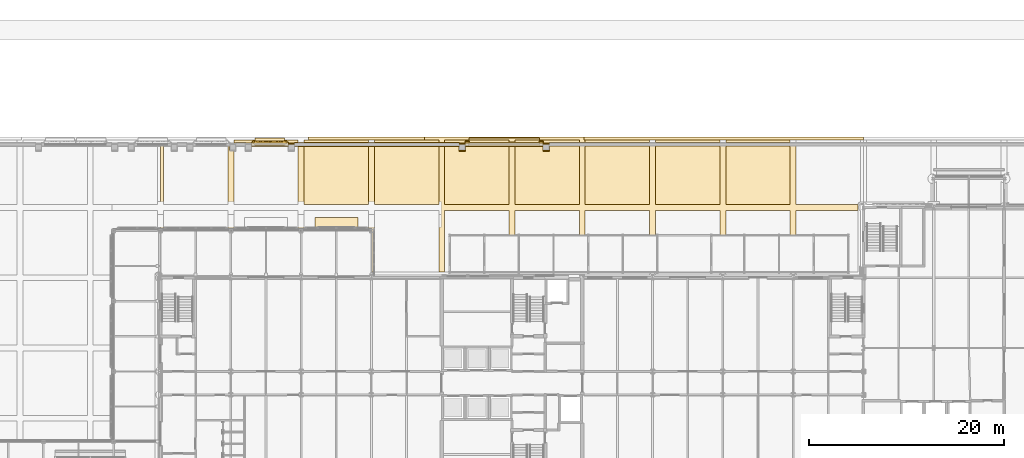
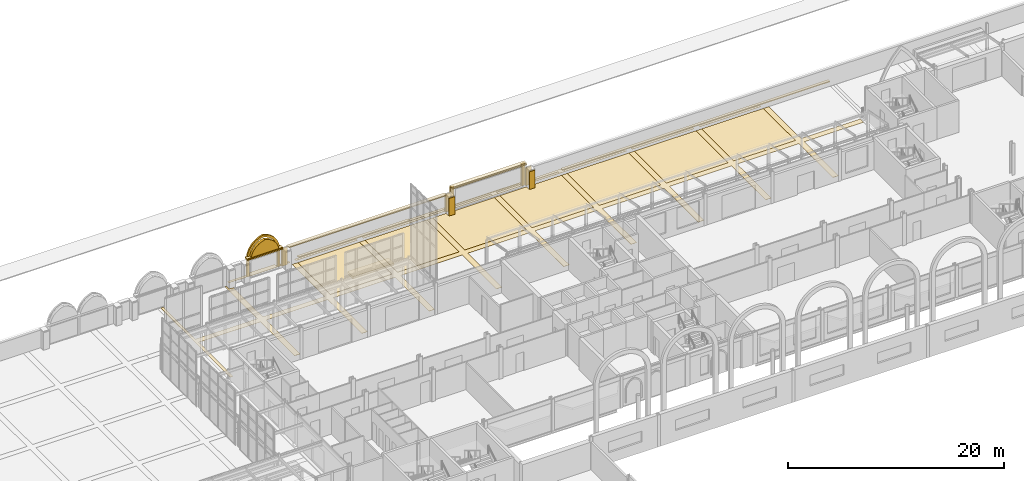
# One storey, part 132 of 143: 36 coverings.
"""IFC4 building model written with IfcOpenShell, lengths in metres."""

from ifc_helpers import new_model, si_unit, direction, frame, origin, origin_2d, place, context, subcontext, project, spatial, polyline, rectangle, outline, extrude, material, layer, layer_set, type_object, element, save


model = new_model("IFC4")

# Units and contexts
model_context = context("Model", 3, precision=1e-05, world=origin(), true_north=direction((0.0, 1.0)))
body_context = subcontext(model_context, "Body", "Model", "MODEL_VIEW")
ifc_project = project(units=[si_unit("LENGTHUNIT", "METRE"), si_unit("AREAUNIT", "SQUARE_METRE"), si_unit("VOLUMEUNIT", "CUBIC_METRE"), si_unit("PLANEANGLEUNIT", "RADIAN"), si_unit("MASSUNIT", "GRAM", prefix="KILO")], contexts=[model_context])

# Site, building, storey
site_placement = place(None, origin())
site = spatial("IfcSite", under=ifc_project, at=site_placement, CompositionType="ELEMENT")
building_placement = place(site_placement, origin())
building = spatial("IfcBuilding", under=site, at=building_placement, Name="Kupolbacken Congress Centre", CompositionType="ELEMENT")
storey_placement = place(building_placement, frame((0.0, 0.0, 7.199951171875)))
storey = spatial("IfcBuildingStorey", under=building, at=storey_placement, Name="L02", CompositionType="ELEMENT", Elevation=7.199951171875)

# Coverings
ifc_material_1 = material(Name="Limestone cladding", Category="masonry")
ifc_layer_1 = layer(ifc_material_1, 0.1201171875)
ifc_layer_set_1 = layer_set([ifc_layer_1], Name="Limestone cladding")
covering_type_1 = type_object("IfcCoveringType", Name="CV1 limestone cladding band 120", PredefinedType="CLADDING", material=ifc_layer_set_1)
covering_1_placement = place(storey_placement, origin())
element("IfcCovering", 1, at=covering_1_placement, inside=storey, type_object=covering_type_1, Name="Gate pier limestone facing", PredefinedType="CLADDING", context=body_context, shape_type="SweptSolid", body=[
    extrude(outline(polyline([(77.89990234375, 157.679931640625), (77.89990234375, 157.800048828125), (78.5, 157.800048828125), (78.5, 157.679931640625), (77.89990234375, 157.679931640625)])), origin(), (0.0, 0.0, 1.0), 2.0),
])
covering_2_placement = place(storey_placement, origin())
element("IfcCovering", 2, at=covering_2_placement, inside=storey, type_object=covering_type_1, Name="Gate pier limestone facing", PredefinedType="CLADDING", context=body_context, shape_type="SweptSolid", body=[
    extrude(outline(polyline([(95.39990234375, 157.679931640625), (95.39990234375, 157.800048828125), (96.0, 157.800048828125), (96.0, 157.679931640625), (95.39990234375, 157.679931640625)])), origin(), (0.0, 0.0, 1.0), 2.0),
])
covering_3_placement = place(storey_placement, origin())
element("IfcCovering", 3, at=covering_3_placement, inside=storey, type_object=covering_type_1, Name="Gate pier limestone facing", PredefinedType="CLADDING", context=body_context, shape_type="SweptSolid", body=[
    extrude(outline(polyline([(95.39990234375, 156.9599609375), (95.39990234375, 157.080078125), (96.0, 157.080078125), (96.0, 156.9599609375), (95.39990234375, 156.9599609375)])), origin(), (0.0, 0.0, 1.0), 2.0),
])
covering_4_placement = place(storey_placement, origin())
element("IfcCovering", 4, at=covering_4_placement, inside=storey, type_object=covering_type_1, Name="Gate pier limestone facing", PredefinedType="CLADDING", context=body_context, shape_type="SweptSolid", body=[
    extrude(outline(polyline([(104.0, 157.679931640625), (104.0, 157.800048828125), (104.60009765625, 157.800048828125), (104.60009765625, 157.679931640625), (104.0, 157.679931640625)])), origin(), (0.0, 0.0, 1.0), 2.0),
])
covering_5_placement = place(storey_placement, origin())
element("IfcCovering", 5, at=covering_5_placement, inside=storey, type_object=covering_type_1, Name="Gate pier limestone facing", PredefinedType="CLADDING", context=body_context, shape_type="SweptSolid", body=[
    extrude(outline(polyline([(104.0, 156.9599609375), (104.0, 157.080078125), (104.60009765625, 157.080078125), (104.60009765625, 156.9599609375), (104.0, 156.9599609375)])), origin(), (0.0, 0.0, 1.0), 2.0),
])
covering_6_placement = place(storey_placement, frame((0.0, 0.0, 2.10009765625)))
element("IfcCovering", 6, at=covering_6_placement, inside=storey, type_object=covering_type_1, Name="Limestone coping on boundary wall", PredefinedType="CLADDING", context=body_context, shape_type="SweptSolid", body=[
    extrude(outline(polyline([(74.10009765625, 157.449951171875), (74.10009765625, 157.85009765625), (77.89990234375, 157.85009765625), (77.89990234375, 157.449951171875), (74.10009765625, 157.449951171875)])), origin(), (0.0, 0.0, 1.0), 0.119873046875),
])
covering_7_placement = place(storey_placement, frame((0.0, 0.0, 2.0)))
element("IfcCovering", 7, at=covering_7_placement, inside=storey, type_object=covering_type_1, Name="Limestone coping on boundary wall", PredefinedType="CLADDING", context=body_context, shape_type="SweptSolid", body=[
    extrude(outline(polyline([(78.5, 157.449951171875), (78.5, 157.85009765625), (95.39990234375, 157.85009765625), (95.39990234375, 157.449951171875), (78.5, 157.449951171875)])), origin(), (0.0, 0.0, 1.0), 0.1201171875),
])
covering_8_placement = place(storey_placement, frame((0.0, 0.0, 2.5)))
element("IfcCovering", 8, at=covering_8_placement, inside=storey, type_object=covering_type_1, Name="Limestone coping on boundary wall", PredefinedType="CLADDING", context=body_context, shape_type="SweptSolid", body=[
    extrude(outline(polyline([(96.0, 157.449951171875), (96.0, 157.85009765625), (104.0, 157.85009765625), (104.0, 157.449951171875), (96.0, 157.449951171875)])), origin(), (0.0, 0.0, 1.0), 0.1201171875),
])
covering_9_placement = place(storey_placement, frame((82.800048828125, 149.675048828125, 2.800048828125), z_axis=(0.0, 0.0, 1.0), x_axis=(1.0, 0.0, 0.0)))
element("IfcCovering", 9, at=covering_9_placement, inside=storey, type_object=covering_type_1, Name="Entrance canopy", PredefinedType="CLADDING", context=body_context, shape_type="SweptSolid", body=[
    extrude(rectangle(XDim=4.39990234375, YDim=1.0, at=origin_2d()), origin(), (0.0, 0.0, 1.0), 0.25),
])
covering_10_placement = place(storey_placement, frame((76.0, 157.7099609375, 2.10009765625), z_axis=(0.0, 0.0, 1.0), x_axis=(1.0, 0.0, 0.0)))
element("IfcCovering", 10, at=covering_10_placement, inside=storey, type_object=covering_type_1, Name="E/portal/UG2C/cap", PredefinedType="CLADDING", context=body_context, shape_type="SweptSolid", body=[
    extrude(rectangle(XDim=3.800048828125, YDim=0.419921875, at=origin_2d()), origin(), (0.0, 0.0, 1.0), 0.199951171875),
])
covering_11_placement = place(storey_placement, frame((100.0, 157.7099609375, 2.5), z_axis=(0.0, 0.0, 1.0), x_axis=(1.0, 0.0, 0.0)))
element("IfcCovering", 11, at=covering_11_placement, inside=storey, type_object=covering_type_1, Name="E/portal/UG1/cap", PredefinedType="CLADDING", context=body_context, shape_type="SweptSolid", body=[
    extrude(rectangle(XDim=8.0, YDim=0.419921875, at=origin_2d()), origin(), (0.0, 0.0, 1.0), 0.199951171875),
])
ifc_material_2 = material(Name="Brick cladding", Category="masonry")
ifc_layer_2 = layer(ifc_material_2, 0.10791015625)
ifc_layer_set_2 = layer_set([ifc_layer_2], Name="Brick cladding")
covering_type_2 = type_object("IfcCoveringType", Name="CV2 brick cladding band 108", PredefinedType="CLADDING", material=ifc_layer_set_2)
covering_12_placement = place(storey_placement, frame((74.5, 157.5, 0.0), z_axis=(0.0, 1.0, 0.0), x_axis=(-1.0, 0.0, 0.0)))
element("IfcCovering", 12, at=covering_12_placement, inside=storey, type_object=covering_type_2, Name="E/portal/UG2C/tympanum1", PredefinedType="CLADDING", context=body_context, shape_type="SweptSolid", body=[
    extrude(outline(polyline([(-0.035888671875, 2.361328125), (-0.08056640625, 2.53759765625), (-0.142333984375, 2.70849609375), (-0.220703125, 2.872314453125), (-0.314697265625, 3.02783203125), (-0.424072265625, 3.173095703125), (-0.547119140625, 3.306884765625), (-0.6826171875, 3.427978515625), (-0.82958984375, 3.534912109375), (-0.986328125, 3.626953125), (-1.1513671875, 3.702880859375), (-1.3232421875, 3.76220703125), (-1.5, 3.80419921875), (-1.6767578125, 3.76220703125), (-1.8486328125, 3.702880859375), (-2.013671875, 3.626953125), (-2.17041015625, 3.534912109375), (-2.3173828125, 3.427978515625), (-2.452880859375, 3.306884765625), (-2.575927734375, 3.173095703125), (-2.685302734375, 3.02783203125), (-2.779296875, 2.872314453125), (-2.857666015625, 2.70849609375), (-2.91943359375, 2.53759765625), (-2.964111328125, 2.361328125), (-2.973388671875, 2.300048828125), (-0.026611328125, 2.300048828125), (-0.035888671875, 2.361328125)])), origin(), (0.0, 0.0, 1.0), 0.300048828125),
])
ifc_material_3 = material(Name="Limestone cladding", Category="masonry")
ifc_layer_3 = layer(ifc_material_3, 0.35009765625)
ifc_layer_set_3 = layer_set([ifc_layer_3], Name="Limestone cladding")
covering_type_3 = type_object("IfcCoveringType", Name="CV3 limestone pilaster strip 350", PredefinedType="CLADDING", material=ifc_layer_set_3)
for number, where, z_axis, x_axis, name in (
    (13, (96.199951171875, 157.889892578125, 0.0), (0.0, 0.0, 1.0), (1.0, 0.0, 0.0), "E/portal/UG1/stripW"),
    (14, (103.800048828125, 157.889892578125, 0.0), (0.0, 0.0, 1.0), (1.0, 0.0, 0.0), "E/portal/UG1/stripE"),
):
    element("IfcCovering", number, at=place(storey_placement, frame(where, z_axis=z_axis, x_axis=x_axis)), inside=storey, type_object=covering_type_3, Name=name, PredefinedType="CLADDING", context=body_context, shape_type="SweptSolid", body=[
        extrude(rectangle(XDim=0.39990234375, YDim=0.179931640625, at=origin_2d()), origin(), (0.0, 0.0, 1.0), 2.5),
    ])
ifc_material_4 = material(Name="Limestone cladding", Category="masonry")
ifc_layer_4 = layer(ifc_material_4, 0.14990234375)
ifc_layer_set_4 = layer_set([ifc_layer_4], Name="Limestone cladding")
covering_type_4 = type_object("IfcCoveringType", Name="CV4 limestone blind arch frame 150", PredefinedType="CLADDING", material=ifc_layer_set_4)
covering_13_placement = place(storey_placement, frame((74.25, 157.800048828125, 0.0), z_axis=(0.0, 1.0, 0.0), x_axis=(-1.0, 0.0, 0.0)))
element("IfcCovering", 15, at=covering_13_placement, inside=storey, type_object=covering_type_4, Name="E/portal/UG2C/arch1", PredefinedType="CLADDING", context=body_context, shape_type="SweptSolid", body=[
    extrude(outline(polyline([(0.0, 0.0), (0.0, 2.0), (-0.010498046875, 2.21484375), (-0.04150390625, 2.427978515625), (-0.09326171875, 2.63671875), (-0.164794921875, 2.839599609375), (-0.255859375, 3.03466796875), (-0.365234375, 3.219970703125), (-0.491943359375, 3.393798828125), (-0.635009765625, 3.5546875), (-0.79296875, 3.70068359375), (-0.96435546875, 3.8310546875), (-1.1474609375, 3.944091796875), (-1.3408203125, 4.038818359375), (-1.542236328125, 4.1142578125), (-1.75, 4.169921875), (-1.957763671875, 4.1142578125), (-2.1591796875, 4.038818359375), (-2.3525390625, 3.944091796875), (-2.53564453125, 3.8310546875), (-2.70703125, 3.70068359375), (-2.864990234375, 3.5546875), (-3.008056640625, 3.393798828125), (-3.134765625, 3.219970703125), (-3.244140625, 3.03466796875), (-3.335205078125, 2.839599609375), (-3.40673828125, 2.63671875), (-3.45849609375, 2.427978515625), (-3.489501953125, 2.21484375), (-3.5, 2.0), (-3.5, 0.0), (-3.25, 0.0), (-3.25, 2.0), (-3.2412109375, 2.18701171875), (-3.214599609375, 2.3720703125), (-3.17041015625, 2.553955078125), (-3.109619140625, 2.730712890625), (-3.031982421875, 2.90087890625), (-2.938720703125, 3.06298828125), (-2.830322265625, 3.215576171875), (-2.7080078125, 3.357177734375), (-2.572998046875, 3.486572265625), (-2.426025390625, 3.6025390625), (-2.268798828125, 3.7041015625), (-2.102783203125, 3.790283203125), (-1.92919921875, 3.860107421875), (-1.75, 3.913330078125), (-1.57080078125, 3.860107421875), (-1.397216796875, 3.790283203125), (-1.231201171875, 3.7041015625), (-1.073974609375, 3.6025390625), (-0.927001953125, 3.486572265625), (-0.7919921875, 3.357177734375), (-0.669677734375, 3.215576171875), (-0.561279296875, 3.06298828125), (-0.468017578125, 2.90087890625), (-0.390380859375, 2.730712890625), (-0.32958984375, 2.553955078125), (-0.285400390625, 2.3720703125), (-0.2587890625, 2.18701171875), (-0.25, 2.0), (-0.25, 0.0), (0.0, 0.0)])), origin(), (0.0, 0.0, 1.0), 0.179931640625),
])
ifc_material_5 = material(Name="Limestone cladding", Category="masonry")
ifc_layer_5 = layer(ifc_material_5, 0.02001953125)
ifc_layer_set_5 = layer_set([ifc_layer_5], Name="Limestone cladding")
covering_type_5 = type_object("IfcCoveringType", Name="GF1 limestone paving 20", PredefinedType="FLOORING", material=ifc_layer_set_5)
covering_14_placement = place(storey_placement, origin())
element("IfcCovering", 16, at=covering_14_placement, inside=storey, type_object=covering_type_5, Name="Arrival deck limestone paving", PredefinedType="FLOORING", context=body_context, shape_type="SweptSolid", body=[
    extrude(outline(polyline([(104.570068359375, 157.802001953125), (104.030029296875, 157.802001953125), (104.030029296875, 157.830078125), (101.10009765625, 157.830078125), (101.10009765625, 158.10009765625), (107.699951171875, 158.10009765625), (107.699951171875, 157.830078125), (104.570068359375, 157.830078125), (104.570068359375, 157.802001953125)])), origin(), (0.0, 0.0, 1.0), 0.02001953125),
])
covering_15_placement = place(storey_placement, origin())
element("IfcCovering", 17, at=covering_15_placement, inside=storey, type_object=covering_type_5, Name="Arrival deck limestone paving", PredefinedType="FLOORING", context=body_context, shape_type="SweptSolid", body=[
    extrude(outline(polyline([(95.969970703125, 157.830078125), (95.969970703125, 157.802001953125), (95.429931640625, 157.802001953125), (95.429931640625, 157.830078125), (93.89990234375, 157.830078125), (93.89990234375, 158.10009765625), (100.5, 158.10009765625), (100.5, 157.830078125), (95.969970703125, 157.830078125)])), origin(), (0.0, 0.0, 1.0), 0.02001953125),
])
covering_16_placement = place(storey_placement, origin())
element("IfcCovering", 18, at=covering_16_placement, inside=storey, type_object=covering_type_5, Name="Arrival deck limestone paving", PredefinedType="FLOORING", context=body_context, shape_type="SweptSolid", body=[
    extrude(outline(polyline([(86.699951171875, 157.830078125), (86.699951171875, 158.09912109375), (91.822021484375, 158.09912109375), (91.836669921875, 158.39697265625), (91.822021484375, 158.10009765625), (93.300048828125, 158.10009765625), (93.300048828125, 157.830078125), (86.699951171875, 157.830078125)])), origin(), (0.0, 0.0, 1.0), 0.02001953125),
])
covering_17_placement = place(storey_placement, origin())
element("IfcCovering", 19, at=covering_17_placement, inside=storey, type_object=covering_type_5, Name="Arrival deck limestone paving", PredefinedType="FLOORING", context=body_context, shape_type="SweptSolid", body=[
    extrude(outline(polyline([(79.5, 157.830078125), (79.5, 158.10009765625), (79.97216796875, 158.10009765625), (79.972412109375, 158.09912109375), (86.10009765625, 158.09912109375), (86.10009765625, 157.830078125), (79.5, 157.830078125)])), origin(), (0.0, 0.0, 1.0), 0.02001953125),
])
covering_18_placement = place(storey_placement, origin())
element("IfcCovering", 20, at=covering_18_placement, inside=storey, type_object=covering_type_5, Name="Arrival deck limestone paving", PredefinedType="FLOORING", context=body_context, shape_type="SweptSolid", body=[
    extrude(outline(polyline([(78.469970703125, 157.830078125), (78.469970703125, 157.802001953125), (77.929931640625, 157.802001953125), (77.929931640625, 157.830078125), (74.070068359375, 157.830078125), (74.070068359375, 157.802001953125), (73.530029296875, 157.802001953125), (73.530029296875, 157.830078125), (72.469970703125, 157.830078125), (72.469970703125, 157.802001953125), (72.300048828125, 157.802001953125), (72.300048828125, 158.10009765625), (78.89990234375, 158.10009765625), (78.89990234375, 157.830078125), (78.469970703125, 157.830078125)])), origin(), (0.0, 0.0, 1.0), 0.02001953125),
])
covering_19_placement = place(storey_placement, origin())
element("IfcCovering", 21, at=covering_19_placement, inside=storey, type_object=covering_type_5, Name="Arrival deck limestone paving", PredefinedType="FLOORING", context=body_context, shape_type="SweptSolid", body=[
    extrude(outline(polyline([(114.89990234375, 158.09912109375), (114.89990234375, 157.830078125), (108.300048828125, 157.830078125), (108.300048828125, 158.09912109375), (114.89990234375, 158.09912109375)])), origin(), (0.0, 0.0, 1.0), 0.02001953125),
])
covering_20_placement = place(storey_placement, origin())
element("IfcCovering", 22, at=covering_20_placement, inside=storey, type_object=covering_type_5, Name="Arrival deck limestone paving", PredefinedType="FLOORING", context=body_context, shape_type="SweptSolid", body=[
    extrude(outline(polyline([(122.10009765625, 158.09912109375), (122.10009765625, 157.830078125), (115.5, 157.830078125), (115.5, 158.09912109375), (122.10009765625, 158.09912109375)])), origin(), (0.0, 0.0, 1.0), 0.02001953125),
])
covering_21_placement = place(storey_placement, origin())
element("IfcCovering", 23, at=covering_21_placement, inside=storey, type_object=covering_type_5, Name="Arrival deck limestone paving", PredefinedType="FLOORING", context=body_context, shape_type="SweptSolid", body=[
    extrude(outline(polyline([(129.300048828125, 158.09912109375), (129.300048828125, 157.830078125), (122.699951171875, 157.830078125), (122.699951171875, 158.09912109375), (129.300048828125, 158.09912109375)])), origin(), (0.0, 0.0, 1.0), 0.02001953125),
])
covering_22_placement = place(storey_placement, origin())
element("IfcCovering", 24, at=covering_22_placement, inside=storey, type_object=covering_type_5, Name="Arrival deck limestone paving", PredefinedType="FLOORING", context=body_context, shape_type="SweptSolid", body=[
    extrude(outline(polyline([(86.10009765625, 157.469970703125), (86.10009765625, 151.5), (79.5, 151.5), (79.5, 157.469970703125), (86.10009765625, 157.469970703125)])), origin(), (0.0, 0.0, 1.0), 0.02001953125),
])
covering_23_placement = place(storey_placement, origin())
element("IfcCovering", 25, at=covering_23_placement, inside=storey, type_object=covering_type_5, Name="Arrival deck limestone paving", PredefinedType="FLOORING", context=body_context, shape_type="SweptSolid", body=[
    extrude(outline(polyline([(93.300048828125, 157.469970703125), (93.300048828125, 151.5), (86.699951171875, 151.5), (86.699951171875, 157.469970703125), (93.300048828125, 157.469970703125)])), origin(), (0.0, 0.0, 1.0), 0.02001953125),
])
covering_24_placement = place(storey_placement, origin())
element("IfcCovering", 26, at=covering_24_placement, inside=storey, type_object=covering_type_5, Name="Arrival deck limestone paving", PredefinedType="FLOORING", context=body_context, shape_type="SweptSolid", body=[
    extrude(outline(polyline([(95.3701171875, 157.469970703125), (95.3701171875, 157.050048828125), (95.39794921875, 157.050048828125), (95.39794921875, 156.9580078125), (96.001953125, 156.9580078125), (96.001953125, 157.050048828125), (96.030029296875, 157.050048828125), (96.030029296875, 157.469970703125), (100.5, 157.469970703125), (100.5, 151.5), (93.89990234375, 151.5), (93.89990234375, 157.469970703125), (95.3701171875, 157.469970703125)])), origin(), (0.0, 0.0, 1.0), 0.02001953125),
])
covering_25_placement = place(storey_placement, origin())
element("IfcCovering", 27, at=covering_25_placement, inside=storey, type_object=covering_type_5, Name="Arrival deck limestone paving", PredefinedType="FLOORING", context=body_context, shape_type="SweptSolid", body=[
    extrude(outline(polyline([(103.969970703125, 157.469970703125), (103.969970703125, 157.050048828125), (103.998046875, 157.050048828125), (103.998046875, 156.9580078125), (104.60205078125, 156.9580078125), (104.60205078125, 157.050048828125), (104.6298828125, 157.050048828125), (104.6298828125, 157.469970703125), (107.699951171875, 157.469970703125), (107.699951171875, 151.5), (101.10009765625, 151.5), (101.10009765625, 157.469970703125), (103.969970703125, 157.469970703125)])), origin(), (0.0, 0.0, 1.0), 0.02001953125),
])
covering_26_placement = place(storey_placement, origin())
element("IfcCovering", 28, at=covering_26_placement, inside=storey, type_object=covering_type_5, Name="Arrival deck limestone paving", PredefinedType="FLOORING", context=body_context, shape_type="SweptSolid", body=[
    extrude(outline(polyline([(114.89990234375, 157.469970703125), (114.89990234375, 151.5), (108.300048828125, 151.5), (108.300048828125, 157.469970703125), (114.89990234375, 157.469970703125)])), origin(), (0.0, 0.0, 1.0), 0.02001953125),
])
covering_27_placement = place(storey_placement, origin())
element("IfcCovering", 29, at=covering_27_placement, inside=storey, type_object=covering_type_5, Name="Arrival deck limestone paving", PredefinedType="FLOORING", context=body_context, shape_type="SweptSolid", body=[
    extrude(outline(polyline([(122.10009765625, 157.469970703125), (122.10009765625, 151.5), (115.5, 151.5), (115.5, 157.469970703125), (122.10009765625, 157.469970703125)])), origin(), (0.0, 0.0, 1.0), 0.02001953125),
])
covering_28_placement = place(storey_placement, origin())
element("IfcCovering", 30, at=covering_28_placement, inside=storey, type_object=covering_type_5, Name="Arrival deck limestone paving", PredefinedType="FLOORING", context=body_context, shape_type="SweptSolid", body=[
    extrude(outline(polyline([(129.300048828125, 157.469970703125), (129.300048828125, 151.5), (122.699951171875, 151.5), (122.699951171875, 157.469970703125), (129.300048828125, 157.469970703125)])), origin(), (0.0, 0.0, 1.0), 0.02001953125),
])
covering_29_placement = place(storey_placement, frame((76.0, 158.050048828125, 0.0), z_axis=(0.0, 0.0, 1.0), x_axis=(1.0, 0.0, 0.0)))
element("IfcCovering", 31, at=covering_29_placement, inside=storey, type_object=covering_type_5, Name="E/portal/UG2C/threshold1", PredefinedType="FLOORING", context=body_context, shape_type="SweptSolid", body=[
    extrude(rectangle(XDim=3.0, YDim=0.5, at=origin_2d()), origin(), (0.0, 0.0, 1.0), 0.02001953125),
])
covering_30_placement = place(storey_placement, frame((100.0, 158.050048828125, 0.0), z_axis=(0.0, 0.0, 1.0), x_axis=(1.0, 0.0, 0.0)))
element("IfcCovering", 32, at=covering_30_placement, inside=storey, type_object=covering_type_5, Name="E/portal/UG1/threshold1", PredefinedType="FLOORING", context=body_context, shape_type="SweptSolid", body=[
    extrude(rectangle(XDim=7.199951171875, YDim=0.5, at=origin_2d()), origin(), (0.0, 0.0, 1.0), 0.02001953125),
])
ifc_material_6 = material(Name="Brick", Category="masonry")
ifc_layer_6 = layer(ifc_material_6, 0.02001953125)
ifc_layer_set_6 = layer_set([ifc_layer_6], Name="Brick")
covering_type_6 = type_object("IfcCoveringType", Name="GF2 brick paving 20", PredefinedType="FLOORING", material=ifc_layer_set_6)
covering_31_placement = place(storey_placement, origin())
element("IfcCovering", 33, at=covering_31_placement, inside=storey, type_object=covering_type_6, Name="Arrival paving band", PredefinedType="FLOORING", context=body_context, shape_type="SweptSolid", body=[
    extrude(outline(polyline([(71.699951171875, 151.5), (71.699951171875, 157.469970703125), (71.8701171875, 157.469970703125), (71.8701171875, 157.050048828125), (71.89794921875, 157.050048828125), (71.89794921875, 156.9580078125), (72.300048828125, 156.9580078125), (72.300048828125, 151.5), (78.89990234375, 151.5), (78.89990234375, 157.469970703125), (79.5, 157.469970703125), (79.5, 151.5), (86.10009765625, 151.5), (86.10009765625, 157.469970703125), (86.699951171875, 157.469970703125), (86.699951171875, 151.5), (93.300048828125, 151.5), (93.300048828125, 157.469970703125), (93.89990234375, 157.469970703125), (93.89990234375, 151.5), (100.5, 151.5), (100.5, 157.469970703125), (101.10009765625, 157.469970703125), (101.10009765625, 151.5), (107.699951171875, 151.5), (107.699951171875, 157.469970703125), (108.300048828125, 157.469970703125), (108.300048828125, 151.5), (114.89990234375, 151.5), (114.89990234375, 157.469970703125), (115.5, 157.469970703125), (115.5, 151.5), (122.10009765625, 151.5), (122.10009765625, 157.469970703125), (122.699951171875, 157.469970703125), (122.699951171875, 151.5), (129.300048828125, 151.5), (129.300048828125, 157.469970703125), (129.89990234375, 157.469970703125), (129.89990234375, 151.5), (136.226318359375, 151.5), (136.22509765625, 151.47509765625), (136.22509765625, 150.89990234375), (129.89990234375, 150.89990234375), (129.89990234375, 144.574951171875), (129.300048828125, 144.574951171875), (129.300048828125, 150.89990234375), (122.699951171875, 150.89990234375), (122.699951171875, 144.574951171875), (122.10009765625, 144.574951171875), (122.10009765625, 150.89990234375), (115.5, 150.89990234375), (115.5, 144.574951171875), (114.89990234375, 144.574951171875), (114.89990234375, 150.89990234375), (108.300048828125, 150.89990234375), (108.300048828125, 144.574951171875), (107.699951171875, 144.574951171875), (107.699951171875, 150.89990234375), (101.10009765625, 150.89990234375), (101.10009765625, 144.574951171875), (100.5, 144.574951171875), (100.5, 150.89990234375), (93.89990234375, 150.89990234375), (93.89990234375, 144.574951171875), (93.300048828125, 144.574951171875), (93.300048828125, 150.89990234375), (86.699951171875, 150.89990234375), (86.699951171875, 144.574951171875), (86.10009765625, 144.574951171875), (86.10009765625, 150.89990234375), (79.5, 150.89990234375), (79.5, 144.574951171875), (78.89990234375, 144.574951171875), (78.89990234375, 150.89990234375), (72.300048828125, 150.89990234375), (72.300048828125, 144.574951171875), (71.699951171875, 144.574951171875), (71.699951171875, 150.89990234375), (65.10009765625, 150.89990234375), (65.10009765625, 144.574951171875), (64.802001953125, 144.574951171875), (64.802001953125, 157.469970703125), (65.10009765625, 157.469970703125), (65.10009765625, 151.5), (71.699951171875, 151.5)])), origin(), (0.0, 0.0, 1.0), 0.02001953125),
])
covering_32_placement = place(storey_placement, origin())
element("IfcCovering", 34, at=covering_32_placement, inside=storey, type_object=covering_type_6, Name="Arrival paving band", PredefinedType="FLOORING", context=body_context, shape_type="SweptSolid", body=[
    extrude(outline(polyline([(93.300048828125, 158.10009765625), (91.822021484375, 158.10009765625), (91.836669921875, 158.39697265625), (108.163330078125, 158.39697265625), (108.177978515625, 158.09912109375), (108.300048828125, 158.09912109375), (108.300048828125, 157.830078125), (107.699951171875, 157.830078125), (107.699951171875, 158.10009765625), (101.10009765625, 158.10009765625), (101.10009765625, 157.830078125), (100.5, 157.830078125), (100.5, 158.10009765625), (93.89990234375, 158.10009765625), (93.89990234375, 157.830078125), (93.300048828125, 157.830078125), (93.300048828125, 158.10009765625)])), origin(), (0.0, 0.0, 1.0), 0.02001953125),
])
ifc_material_7 = material(Name="Granite setts", Category="masonry")
ifc_layer_7 = layer(ifc_material_7, 0.10009765625)
ifc_layer_set_7 = layer_set([ifc_layer_7], Name="Granite setts")
covering_type_7 = type_object("IfcCoveringType", Name="GR3 granite sett paving 100", PredefinedType="FLOORING", material=ifc_layer_set_7)
covering_33_placement = place(storey_placement, origin())
element("IfcCovering", 35, at=covering_33_placement, inside=storey, type_object=covering_type_7, Name="Granite kerb edging", PredefinedType="FLOORING", context=body_context, shape_type="SweptSolid", body=[
    extrude(outline(polyline([(79.927978515625, 158.39697265625), (91.836669921875, 158.39697265625), (91.822021484375, 158.09912109375), (79.972412109375, 158.09912109375), (79.927978515625, 158.39697265625)])), origin(), (0.0, 0.0, 1.0), 0.10009765625),
])
covering_34_placement = place(storey_placement, origin())
element("IfcCovering", 36, at=covering_34_placement, inside=storey, type_object=covering_type_7, Name="Granite kerb edging", PredefinedType="FLOORING", context=body_context, shape_type="SweptSolid", body=[
    extrude(outline(polyline([(108.163330078125, 158.39697265625), (136.798095703125, 158.39697265625), (136.798095703125, 158.09912109375), (108.177978515625, 158.09912109375), (108.163330078125, 158.39697265625)])), origin(), (0.0, 0.0, 1.0), 0.10009765625),
])

save(model, "model.ifc")
